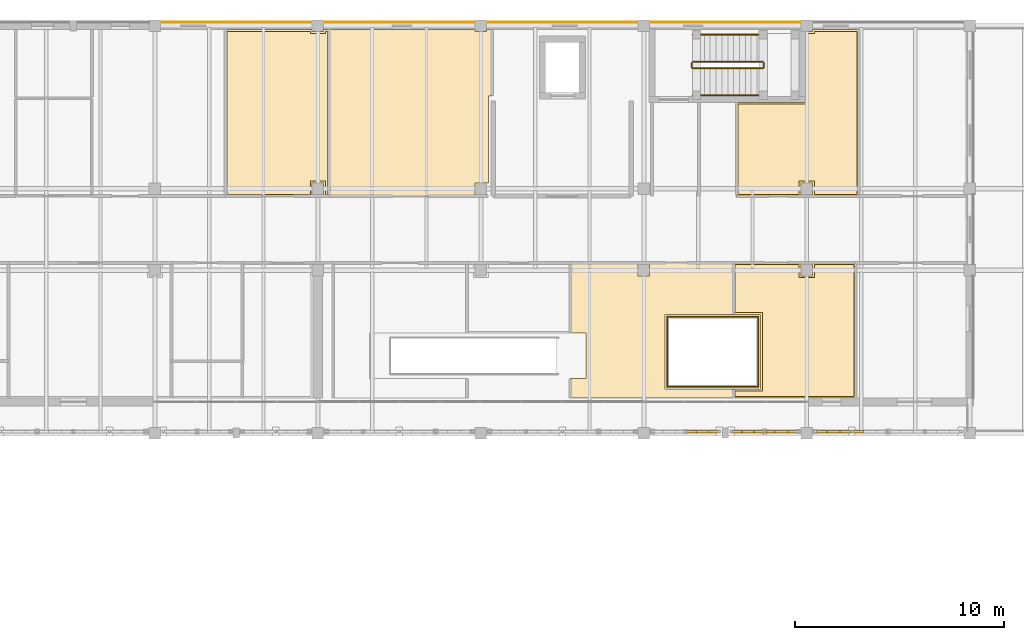
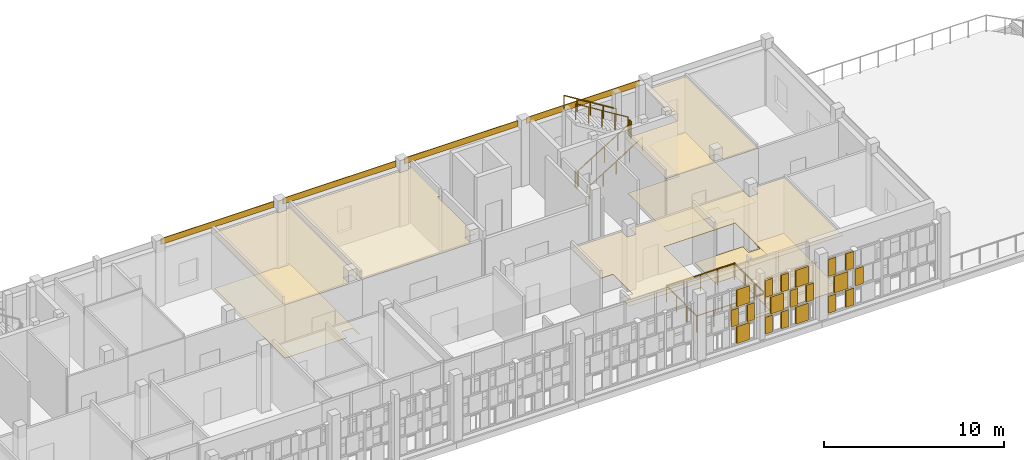
# One storey, part 118 of 119: 31 coverings, 10 railings.
"""IFC4 building model written with IfcOpenShell, lengths in metres."""

from ifc_helpers import new_model, si_unit, direction, frame, origin, origin_2d, place, context, subcontext, project, spatial, polyline, rectangle, circle, outline, extrude, material, layer, layer_set, type_object, element, save


model = new_model("IFC4")

# Units and contexts
model_context = context("Model", 3, precision=1e-05, world=origin(), true_north=direction((0.0, 1.0)))
body_context = subcontext(model_context, "Body", "Model", "MODEL_VIEW")
ifc_project = project(units=[si_unit("LENGTHUNIT", "METRE"), si_unit("AREAUNIT", "SQUARE_METRE"), si_unit("VOLUMEUNIT", "CUBIC_METRE"), si_unit("PLANEANGLEUNIT", "RADIAN"), si_unit("MASSUNIT", "GRAM", prefix="KILO")], contexts=[model_context])

# Site, building, storey
site_placement = place(None, origin())
site = spatial("IfcSite", under=ifc_project, at=site_placement, CompositionType="ELEMENT")
building_placement = place(site_placement, origin())
building = spatial("IfcBuilding", under=site, at=building_placement, Name="Celorna Specialist Clinic", CompositionType="ELEMENT")
storey_placement = place(building_placement, frame((0.0, 0.0, 9.60009765625)))
storey = spatial("IfcBuildingStorey", under=building, at=storey_placement, Name="L02", CompositionType="ELEMENT", Elevation=9.60009765625)

# Railings
ifc_material_1 = material(Name="Stainless steel and laminated glass balustrade", Category="steel")
railing_type_1 = type_object("IfcRailingType", Name="BL-01", PredefinedType="BALUSTRADE", material=ifc_material_1)
railing_1_placement = place(storey_placement, frame((118.1201171875, 98.719970703125, 0.0)))
element("IfcRailing", 1, at=railing_1_placement, inside=storey, type_object=railing_type_1, Name="Clinical lightwell balustrade L02 #2-1", PredefinedType="BALUSTRADE", context=body_context, shape_type="SweptSolid", body=[
    extrude(circle(Radius=0.02392578125, at=origin_2d()), frame((0.0, 0.0, 1.09619140625), z_axis=(1.0, 0.0, 0.0), x_axis=(0.0, 1.0, 0.0)), (0.0, 0.0, 1.0), 4.35986328125),
    extrude(circle(Radius=0.02099609375, at=origin_2d()), origin(), (0.0, 0.0, 1.0), 1.072021484375),
    extrude(circle(Radius=0.02099609375, at=origin_2d()), frame((1.08984375, 0.0, 0.0)), (0.0, 0.0, 1.0), 1.072021484375),
    extrude(circle(Radius=0.02099609375, at=origin_2d()), frame((2.179931640625, 0.0, 0.0)), (0.0, 0.0, 1.0), 1.072021484375),
    extrude(circle(Radius=0.02099609375, at=origin_2d()), frame((3.27001953125, 0.0, 0.0)), (0.0, 0.0, 1.0), 1.072021484375),
    extrude(circle(Radius=0.02099609375, at=origin_2d()), frame((4.35986328125, 0.0, 0.0)), (0.0, 0.0, 1.0), 1.072021484375),
])
railing_2_placement = place(storey_placement, frame((122.47998046875, 98.719970703125, 0.0)))
element("IfcRailing", 2, at=railing_2_placement, inside=storey, type_object=railing_type_1, Name="Clinical lightwell balustrade L02 #2-2", PredefinedType="BALUSTRADE", context=body_context, shape_type="SweptSolid", body=[
    extrude(circle(Radius=0.02392578125, at=origin_2d()), frame((0.0, 0.0, 1.09619140625), z_axis=(0.0, 1.0, 0.0), x_axis=(-1.0, 0.0, 0.0)), (0.0, 0.0, 1.0), 3.360107421875),
    extrude(circle(Radius=0.02099609375, at=origin_2d()), origin(), (0.0, 0.0, 1.0), 1.072021484375),
    extrude(circle(Radius=0.02099609375, at=origin_2d()), frame((0.0, 1.1201171875, 0.0)), (0.0, 0.0, 1.0), 1.072021484375),
    extrude(circle(Radius=0.02099609375, at=origin_2d()), frame((0.0, 2.239990234375, 0.0)), (0.0, 0.0, 1.0), 1.072021484375),
    extrude(circle(Radius=0.02099609375, at=origin_2d()), frame((0.0, 3.360107421875, 0.0)), (0.0, 0.0, 1.0), 1.072021484375),
])
railing_3_placement = place(storey_placement, frame((122.47998046875, 102.080078125, 0.0)))
element("IfcRailing", 3, at=railing_3_placement, inside=storey, type_object=railing_type_1, Name="Clinical lightwell balustrade L02 #2-3", PredefinedType="BALUSTRADE", context=body_context, shape_type="SweptSolid", body=[
    extrude(circle(Radius=0.02392578125, at=origin_2d()), frame((0.0, 0.0, 1.09619140625), z_axis=(-1.0, 0.0, 0.0), x_axis=(0.0, -1.0, 0.0)), (0.0, 0.0, 1.0), 4.35986328125),
    extrude(circle(Radius=0.02099609375, at=origin_2d()), origin(), (0.0, 0.0, 1.0), 1.072021484375),
    extrude(circle(Radius=0.02099609375, at=origin_2d()), frame((-1.08984375, 0.0, 0.0)), (0.0, 0.0, 1.0), 1.072021484375),
    extrude(circle(Radius=0.02099609375, at=origin_2d()), frame((-2.179931640625, 0.0, 0.0)), (0.0, 0.0, 1.0), 1.072021484375),
    extrude(circle(Radius=0.02099609375, at=origin_2d()), frame((-3.27001953125, 0.0, 0.0)), (0.0, 0.0, 1.0), 1.072021484375),
    extrude(circle(Radius=0.02099609375, at=origin_2d()), frame((-4.35986328125, 0.0, 0.0)), (0.0, 0.0, 1.0), 1.072021484375),
])
railing_4_placement = place(storey_placement, frame((118.1201171875, 102.080078125, 0.0)))
element("IfcRailing", 4, at=railing_4_placement, inside=storey, type_object=railing_type_1, Name="Clinical lightwell balustrade L02 #2-4", PredefinedType="BALUSTRADE", context=body_context, shape_type="SweptSolid", body=[
    extrude(circle(Radius=0.02392578125, at=origin_2d()), frame((0.0, 0.0, 1.09619140625), z_axis=(0.0, -1.0, 0.0), x_axis=(1.0, 0.0, 0.0)), (0.0, 0.0, 1.0), 3.360107421875),
    extrude(circle(Radius=0.02099609375, at=origin_2d()), origin(), (0.0, 0.0, 1.0), 1.072021484375),
    extrude(circle(Radius=0.02099609375, at=origin_2d()), frame((0.0, -1.1201171875, 0.0)), (0.0, 0.0, 1.0), 1.072021484375),
    extrude(circle(Radius=0.02099609375, at=origin_2d()), frame((0.0, -2.239990234375, 0.0)), (0.0, 0.0, 1.0), 1.072021484375),
    extrude(circle(Radius=0.02099609375, at=origin_2d()), frame((0.0, -3.360107421875, 0.0)), (0.0, 0.0, 1.0), 1.072021484375),
])

# Coverings
ifc_material_2 = material(Name="Hygienic acoustic mineral-fibre ceiling")
ifc_layer_1 = layer(ifc_material_2, 0.030029296875, Name="Hygienic acoustic mineral-fibre ceiling")
ifc_layer_set_1 = layer_set([ifc_layer_1], Name="Hygienic acoustic mineral-fibre ceiling")
covering_type_1 = type_object("IfcCoveringType", Name="CE-01", PredefinedType="CEILING", material=ifc_layer_set_1)
covering_1_placement = place(storey_placement, frame((0.0, 0.0, 3.68994140625)))
element("IfcCovering", 5, at=covering_1_placement, inside=storey, type_object=covering_type_1, Name="Acoustic ceiling L02-038", PredefinedType="CEILING", context=body_context, shape_type="SweptSolid", body=[
    extrude(outline(polyline([(113.47509765625, 99.114990234375), (114.22998046875, 99.114990234375), (114.22998046875, 101.284912109375), (113.47509765625, 101.284912109375), (113.47509765625, 104.6650390625), (116.72998046875, 104.6650390625), (116.72998046875, 104.580078125), (116.719970703125, 104.580078125), (116.719970703125, 104.02001953125), (117.280029296875, 104.02001953125), (117.280029296875, 104.580078125), (117.27001953125, 104.580078125), (117.27001953125, 104.6650390625), (121.304931640625, 104.6650390625), (121.304931640625, 102.18505859375), (118.014892578125, 102.18505859375), (118.014892578125, 98.614990234375), (121.304931640625, 98.614990234375), (121.304931640625, 98.175048828125), (113.47509765625, 98.175048828125), (113.47509765625, 99.114990234375)])), origin(), (0.0, 0.0, 1.0), 0.030029296875),
])
covering_2_placement = place(storey_placement, frame((0.0, 0.0, 3.68994140625)))
element("IfcCovering", 6, at=covering_2_placement, inside=storey, type_object=covering_type_1, Name="Acoustic ceiling L02-039", PredefinedType="CEILING", context=body_context, shape_type="SweptSolid", body=[
    extrude(outline(polyline([(124.530029296875, 104.580078125), (124.52001953125, 104.580078125), (124.52001953125, 104.02001953125), (125.080078125, 104.02001953125), (125.080078125, 104.580078125), (125.070068359375, 104.580078125), (125.070068359375, 104.6650390625), (127.155029296875, 104.6650390625), (127.155029296875, 98.175048828125), (121.27490234375, 98.175048828125), (121.27490234375, 98.614990234375), (122.5849609375, 98.614990234375), (122.5849609375, 102.18505859375), (121.27490234375, 102.18505859375), (121.27490234375, 104.6650390625), (124.530029296875, 104.6650390625), (124.530029296875, 104.580078125)])), origin(), (0.0, 0.0, 1.0), 0.030029296875),
])
covering_3_placement = place(storey_placement, frame((0.0, 0.0, 3.68994140625)))
element("IfcCovering", 7, at=covering_3_placement, inside=storey, type_object=covering_type_1, Name="Acoustic ceiling L02-047", PredefinedType="CEILING", context=body_context, shape_type="SweptSolid", body=[
    extrude(outline(polyline([(101.1201171875, 115.824951171875), (101.1201171875, 115.719970703125), (101.679931640625, 115.719970703125), (101.679931640625, 115.824951171875), (101.955078125, 115.824951171875), (101.955078125, 107.8349609375), (101.669921875, 107.8349609375), (101.669921875, 107.919921875), (101.679931640625, 107.919921875), (101.679931640625, 108.47998046875), (101.1201171875, 108.47998046875), (101.1201171875, 107.919921875), (101.1298828125, 107.919921875), (101.1298828125, 107.8349609375), (96.97509765625, 107.8349609375), (96.97509765625, 115.824951171875), (101.1201171875, 115.824951171875)])), origin(), (0.0, 0.0, 1.0), 0.030029296875),
])
covering_4_placement = place(storey_placement, frame((0.0, 0.0, 3.68994140625)))
element("IfcCovering", 8, at=covering_4_placement, inside=storey, type_object=covering_type_1, Name="Acoustic ceiling L02-048", PredefinedType="CEILING", context=body_context, shape_type="SweptSolid", body=[
    extrude(outline(polyline([(108.919921875, 115.824951171875), (108.919921875, 115.719970703125), (109.47998046875, 115.719970703125), (109.47998046875, 115.824951171875), (109.7548828125, 115.824951171875), (109.7548828125, 112.635009765625), (109.56494140625, 112.635009765625), (109.56494140625, 108.469970703125), (109.47998046875, 108.469970703125), (109.47998046875, 108.47998046875), (108.919921875, 108.47998046875), (108.919921875, 107.919921875), (108.929931640625, 107.919921875), (108.929931640625, 107.8349609375), (101.925048828125, 107.8349609375), (101.925048828125, 115.824951171875), (108.919921875, 115.824951171875)])), origin(), (0.0, 0.0, 1.0), 0.030029296875),
])
covering_5_placement = place(storey_placement, frame((0.0, 0.0, 3.68994140625)))
element("IfcCovering", 9, at=covering_5_placement, inside=storey, type_object=covering_type_1, Name="Acoustic ceiling L02-049", PredefinedType="CEILING", context=body_context, shape_type="SweptSolid", body=[
    extrude(outline(polyline([(121.425048828125, 107.8349609375), (121.425048828125, 112.3349609375), (124.72509765625, 112.3349609375), (124.72509765625, 115.719970703125), (125.080078125, 115.719970703125), (125.080078125, 115.824951171875), (127.304931640625, 115.824951171875), (127.304931640625, 107.8349609375), (125.070068359375, 107.8349609375), (125.070068359375, 107.919921875), (125.080078125, 107.919921875), (125.080078125, 108.47998046875), (124.52001953125, 108.47998046875), (124.52001953125, 107.919921875), (124.530029296875, 107.919921875), (124.530029296875, 107.8349609375), (121.425048828125, 107.8349609375)])), origin(), (0.0, 0.0, 1.0), 0.030029296875),
])
ifc_material_3 = material(Name="Pero Pinheiro Lioz limestone rainscreen cladding", Category="masonry")
ifc_layer_2 = layer(ifc_material_3, 0.044921875, Name="Pero Pinheiro Lioz limestone rainscreen cladding")
ifc_layer_set_2 = layer_set([ifc_layer_2], Name="Pero Pinheiro Lioz limestone rainscreen cladding")
covering_type_2 = type_object("IfcCoveringType", Name="CL-01", PredefinedType="CLADDING", material=ifc_layer_set_2)
for number, where, z_axis, x_axis, name in (
    (10, (97.5, 116.16748046875, 3.83984375), (0.0, 0.0, 1.0), (1.0, 0.0, 0.0), "Lioz spandrel cladding #243"),
    (11, (105.300048828125, 116.16748046875, 3.83984375), (0.0, 0.0, 1.0), (1.0, 0.0, 0.0), "Lioz spandrel cladding #244"),
    (12, (113.10009765625, 116.16748046875, 3.83984375), (0.0, 0.0, 1.0), (1.0, 0.0, 0.0), "Lioz spandrel cladding #245"),
    (13, (120.89990234375, 116.16748046875, 3.83984375), (0.0, 0.0, 1.0), (1.0, 0.0, 0.0), "Lioz spandrel cladding #246"),
):
    element("IfcCovering", number, at=place(storey_placement, frame(where, z_axis=z_axis, x_axis=x_axis)), inside=storey, type_object=covering_type_2, Name=name, PredefinedType="CLADDING", context=body_context, shape_type="SweptSolid", body=[
        extrude(rectangle(XDim=7.25, YDim=0.044921875, at=origin_2d()), origin(), (0.0, 0.0, 1.0), 0.39990234375),
    ])
ifc_material_4 = material(Name="Perforated terracotta brick weave cladding", Category="masonry")
ifc_layer_3 = layer(ifc_material_4, 0.114990234375, Name="Perforated terracotta brick weave cladding")
ifc_layer_set_3 = layer_set([ifc_layer_3], Name="Perforated terracotta brick weave cladding")
covering_type_3 = type_object("IfcCoveringType", Name="CL-02", PredefinedType="CLADDING", material=ifc_layer_set_3)
covering_6_placement = place(storey_placement, frame((119.811279296875, 96.570068359375, 0.10009765625), z_axis=(0.0, 0.0, 1.0), x_axis=(1.0, 0.0, 0.0)))
element("IfcCovering", 14, at=covering_6_placement, inside=storey, type_object=covering_type_3, Name="Woven perforated terracotta brick course #1027", PredefinedType="CLADDING", context=body_context, shape_type="SweptSolid", body=[
    extrude(rectangle(XDim=0.7978515625, YDim=0.114990234375, at=origin_2d()), origin(), (0.0, 0.0, 1.0), 1.146728515625),
])
for number, where, z_axis, x_axis, name in (
    (15, (119.2978515625, 96.570068359375, 1.3466796875), (0.0, 0.0, 1.0), (1.0, 0.0, 0.0), "Woven perforated terracotta brick course #1028"),
    (16, (120.32470703125, 96.570068359375, 1.3466796875), (0.0, 0.0, 1.0), (1.0, 0.0, 0.0), "Woven perforated terracotta brick course #1029"),
):
    element("IfcCovering", number, at=place(storey_placement, frame(where, z_axis=z_axis, x_axis=x_axis)), inside=storey, type_object=covering_type_3, Name=name, PredefinedType="CLADDING", context=body_context, shape_type="SweptSolid", body=[
        extrude(rectangle(XDim=0.45068359375, YDim=0.114990234375, at=origin_2d()), origin(), (0.0, 0.0, 1.0), 1.146484375),
    ])
covering_7_placement = place(storey_placement, frame((119.811279296875, 96.570068359375, 2.59326171875), z_axis=(0.0, 0.0, 1.0), x_axis=(1.0, 0.0, 0.0)))
element("IfcCovering", 17, at=covering_7_placement, inside=storey, type_object=covering_type_3, Name="Woven perforated terracotta brick course #1030", PredefinedType="CLADDING", context=body_context, shape_type="SweptSolid", body=[
    extrude(rectangle(XDim=0.7978515625, YDim=0.114990234375, at=origin_2d()), origin(), (0.0, 0.0, 1.0), 1.146728515625),
])
for number, where, z_axis, x_axis, name in (
    (18, (121.475341796875, 96.570068359375, 0.10009765625), (0.0, 0.0, 1.0), (1.0, 0.0, 0.0), "Woven perforated terracotta brick course #1031"),
    (19, (122.502197265625, 96.570068359375, 0.10009765625), (0.0, 0.0, 1.0), (1.0, 0.0, 0.0), "Woven perforated terracotta brick course #1032"),
):
    element("IfcCovering", number, at=place(storey_placement, frame(where, z_axis=z_axis, x_axis=x_axis)), inside=storey, type_object=covering_type_3, Name=name, PredefinedType="CLADDING", context=body_context, shape_type="SweptSolid", body=[
        extrude(rectangle(XDim=0.45068359375, YDim=0.114990234375, at=origin_2d()), origin(), (0.0, 0.0, 1.0), 1.146728515625),
    ])
covering_8_placement = place(storey_placement, frame((121.98876953125, 96.570068359375, 1.3466796875), z_axis=(0.0, 0.0, 1.0), x_axis=(1.0, 0.0, 0.0)))
element("IfcCovering", 20, at=covering_8_placement, inside=storey, type_object=covering_type_3, Name="Woven perforated terracotta brick course #1033", PredefinedType="CLADDING", context=body_context, shape_type="SweptSolid", body=[
    extrude(rectangle(XDim=0.7978515625, YDim=0.114990234375, at=origin_2d()), origin(), (0.0, 0.0, 1.0), 1.146484375),
])
for number, where, z_axis, x_axis, name in (
    (21, (121.475341796875, 96.570068359375, 2.59326171875), (0.0, 0.0, 1.0), (1.0, 0.0, 0.0), "Woven perforated terracotta brick course #1034"),
    (22, (122.502197265625, 96.570068359375, 2.59326171875), (0.0, 0.0, 1.0), (1.0, 0.0, 0.0), "Woven perforated terracotta brick course #1035"),
):
    element("IfcCovering", number, at=place(storey_placement, frame(where, z_axis=z_axis, x_axis=x_axis)), inside=storey, type_object=covering_type_3, Name=name, PredefinedType="CLADDING", context=body_context, shape_type="SweptSolid", body=[
        extrude(rectangle(XDim=0.45068359375, YDim=0.114990234375, at=origin_2d()), origin(), (0.0, 0.0, 1.0), 1.146728515625),
    ])
covering_9_placement = place(storey_placement, frame((123.586181640625, 96.570068359375, 0.10009765625), z_axis=(0.0, 0.0, 1.0), x_axis=(1.0, 0.0, 0.0)))
element("IfcCovering", 23, at=covering_9_placement, inside=storey, type_object=covering_type_3, Name="Woven perforated terracotta brick course #1036", PredefinedType="CLADDING", context=body_context, shape_type="SweptSolid", body=[
    extrude(rectangle(XDim=0.7978515625, YDim=0.114990234375, at=origin_2d()), origin(), (0.0, 0.0, 1.0), 1.146728515625),
])
for number, where, z_axis, x_axis, name in (
    (24, (123.07275390625, 96.570068359375, 1.3466796875), (0.0, 0.0, 1.0), (1.0, 0.0, 0.0), "Woven perforated terracotta brick course #1037"),
    (25, (124.099609375, 96.570068359375, 1.3466796875), (0.0, 0.0, 1.0), (1.0, 0.0, 0.0), "Woven perforated terracotta brick course #1038"),
):
    element("IfcCovering", number, at=place(storey_placement, frame(where, z_axis=z_axis, x_axis=x_axis)), inside=storey, type_object=covering_type_3, Name=name, PredefinedType="CLADDING", context=body_context, shape_type="SweptSolid", body=[
        extrude(rectangle(XDim=0.45068359375, YDim=0.114990234375, at=origin_2d()), origin(), (0.0, 0.0, 1.0), 1.146484375),
    ])
covering_10_placement = place(storey_placement, frame((123.586181640625, 96.570068359375, 2.59326171875), z_axis=(0.0, 0.0, 1.0), x_axis=(1.0, 0.0, 0.0)))
element("IfcCovering", 26, at=covering_10_placement, inside=storey, type_object=covering_type_3, Name="Woven perforated terracotta brick course #1039", PredefinedType="CLADDING", context=body_context, shape_type="SweptSolid", body=[
    extrude(rectangle(XDim=0.7978515625, YDim=0.114990234375, at=origin_2d()), origin(), (0.0, 0.0, 1.0), 1.146728515625),
])
for number, where, z_axis, x_axis, name in (
    (27, (125.5224609375, 96.570068359375, 0.10009765625), (0.0, 0.0, 1.0), (1.0, 0.0, 0.0), "Woven perforated terracotta brick course #1040"),
    (28, (126.650146484375, 96.570068359375, 0.10009765625), (0.0, 0.0, 1.0), (1.0, 0.0, 0.0), "Woven perforated terracotta brick course #1041"),
):
    element("IfcCovering", number, at=place(storey_placement, frame(where, z_axis=z_axis, x_axis=x_axis)), inside=storey, type_object=covering_type_3, Name=name, PredefinedType="CLADDING", context=body_context, shape_type="SweptSolid", body=[
        extrude(rectangle(XDim=0.494873046875, YDim=0.114990234375, at=origin_2d()), origin(), (0.0, 0.0, 1.0), 1.146728515625),
    ])
covering_11_placement = place(storey_placement, frame((126.086181640625, 96.570068359375, 1.3466796875), z_axis=(0.0, 0.0, 1.0), x_axis=(1.0, 0.0, 0.0)))
element("IfcCovering", 29, at=covering_11_placement, inside=storey, type_object=covering_type_3, Name="Woven perforated terracotta brick course #1042", PredefinedType="CLADDING", context=body_context, shape_type="SweptSolid", body=[
    extrude(rectangle(XDim=0.876220703125, YDim=0.114990234375, at=origin_2d()), origin(), (0.0, 0.0, 1.0), 1.146484375),
])
for number, where, z_axis, x_axis, name in (
    (30, (125.5224609375, 96.570068359375, 2.59326171875), (0.0, 0.0, 1.0), (1.0, 0.0, 0.0), "Woven perforated terracotta brick course #1043"),
    (31, (126.650146484375, 96.570068359375, 2.59326171875), (0.0, 0.0, 1.0), (1.0, 0.0, 0.0), "Woven perforated terracotta brick course #1044"),
):
    element("IfcCovering", number, at=place(storey_placement, frame(where, z_axis=z_axis, x_axis=x_axis)), inside=storey, type_object=covering_type_3, Name=name, PredefinedType="CLADDING", context=body_context, shape_type="SweptSolid", body=[
        extrude(rectangle(XDim=0.494873046875, YDim=0.114990234375, at=origin_2d()), origin(), (0.0, 0.0, 1.0), 1.146728515625),
    ])
covering_12_placement = place(storey_placement, frame((127.264892578125, 96.570068359375, 1.3466796875), z_axis=(0.0, 0.0, 1.0), x_axis=(1.0, 0.0, 0.0)))
element("IfcCovering", 32, at=covering_12_placement, inside=storey, type_object=covering_type_3, Name="Woven perforated terracotta brick course #1046", PredefinedType="CLADDING", context=body_context, shape_type="SweptSolid", body=[
    extrude(rectangle(XDim=0.494873046875, YDim=0.114990234375, at=origin_2d()), origin(), (0.0, 0.0, 1.0), 1.146484375),
])
ifc_material_5 = material(Name="Seamless antimicrobial clinical vinyl and Lioz terrazzo flooring")
ifc_layer_4 = layer(ifc_material_5, 0.02001953125, Name="Seamless antimicrobial clinical vinyl and Lioz terrazzo flooring")
ifc_layer_set_4 = layer_set([ifc_layer_4], Name="Seamless antimicrobial clinical vinyl and Lioz terrazzo flooring")
covering_type_4 = type_object("IfcCoveringType", Name="FL-01", PredefinedType="FLOORING", material=ifc_layer_set_4)
covering_13_placement = place(storey_placement, origin())
element("IfcCovering", 33, at=covering_13_placement, inside=storey, type_object=covering_type_4, Name="Antimicrobial clinical flooring L02-039", PredefinedType="FLOORING", context=body_context, shape_type="SweptSolid", body=[
    extrude(outline(polyline([(124.43994140625, 104.574951171875), (124.43994140625, 103.93994140625), (125.159912109375, 103.93994140625), (125.159912109375, 104.574951171875), (127.06494140625, 104.574951171875), (127.06494140625, 98.264892578125), (121.364990234375, 98.264892578125), (121.364990234375, 98.52490234375), (122.675048828125, 98.52490234375), (122.675048828125, 102.27490234375), (121.364990234375, 102.27490234375), (121.364990234375, 104.574951171875), (124.43994140625, 104.574951171875)])), origin(), (0.0, 0.0, 1.0), 0.02001953125),
])
covering_14_placement = place(storey_placement, origin())
element("IfcCovering", 34, at=covering_14_placement, inside=storey, type_object=covering_type_4, Name="Antimicrobial clinical flooring L02-047", PredefinedType="FLOORING", context=body_context, shape_type="SweptSolid", body=[
    extrude(outline(polyline([(97.06494140625, 115.735107421875), (101.0400390625, 115.735107421875), (101.0400390625, 115.639892578125), (101.760009765625, 115.639892578125), (101.760009765625, 115.735107421875), (101.864990234375, 115.735107421875), (101.864990234375, 107.925048828125), (101.760009765625, 107.925048828125), (101.760009765625, 108.56005859375), (101.0400390625, 108.56005859375), (101.0400390625, 107.925048828125), (97.06494140625, 107.925048828125), (97.06494140625, 115.735107421875)])), origin(), (0.0, 0.0, 1.0), 0.02001953125),
])
covering_15_placement = place(storey_placement, origin())
element("IfcCovering", 35, at=covering_15_placement, inside=storey, type_object=covering_type_4, Name="Antimicrobial clinical flooring L02-049", PredefinedType="FLOORING", context=body_context, shape_type="SweptSolid", body=[
    extrude(outline(polyline([(124.43994140625, 107.925048828125), (121.514892578125, 107.925048828125), (121.514892578125, 112.2451171875), (124.81494140625, 112.2451171875), (124.81494140625, 115.639892578125), (125.159912109375, 115.639892578125), (125.159912109375, 115.735107421875), (127.215087890625, 115.735107421875), (127.215087890625, 107.925048828125), (125.159912109375, 107.925048828125), (125.159912109375, 108.56005859375), (124.43994140625, 108.56005859375), (124.43994140625, 107.925048828125)])), origin(), (0.0, 0.0, 1.0), 0.02001953125),
])

# Railings
ifc_material_6 = material(Name="Powder-coated steel S355", Category="steel")
railing_type_2 = type_object("IfcRailingType", Name="GR-01", PredefinedType="GUARDRAIL", material=ifc_material_6)
railing_5_placement = place(storey_placement, frame((119.340087890625, 113.969970703125, 0.173095703125)))
element("IfcRailing", 36, at=railing_5_placement, inside=storey, type_object=railing_type_2, Name="L02 ST-03 stair guard 1", PredefinedType="GUARDRAIL", context=body_context, shape_type="SweptSolid", body=[
    extrude(circle(Radius=0.02392578125, at=origin_2d()), frame((0.0, 0.0, 1.09619140625), z_axis=(0.850606129759, 0.0, 0.525803396734), x_axis=(0.0, 1.0, 0.0)), (0.0, 0.0, 1.0), 3.949951171875),
    extrude(circle(Radius=0.02099609375, at=origin_2d()), origin(), (0.0, 0.0, 1.0), 1.072021484375),
    extrude(circle(Radius=0.02099609375, at=origin_2d()), frame((0.83984375, 0.0, 0.519287109375)), (0.0, 0.0, 1.0), 1.072021484375),
    extrude(circle(Radius=0.02099609375, at=origin_2d()), frame((1.679931640625, 0.0, 1.03857421875)), (0.0, 0.0, 1.0), 1.072021484375),
    extrude(circle(Radius=0.02099609375, at=origin_2d()), frame((2.52001953125, 0.0, 1.5576171875)), (0.0, 0.0, 1.0), 1.072021484375),
    extrude(circle(Radius=0.02099609375, at=origin_2d()), frame((3.35986328125, 0.0, 2.076904296875)), (0.0, 0.0, 1.0), 1.072021484375),
])
railing_6_placement = place(storey_placement, frame((122.75, 114.02001953125, 2.25)))
element("IfcRailing", 37, at=railing_6_placement, inside=storey, type_object=railing_type_2, Name="L02 ST-03 stair guard 2", PredefinedType="GUARDRAIL", context=body_context, shape_type="SweptSolid", body=[
    extrude(circle(Radius=0.02392578125, at=origin_2d()), frame((0.0, 0.0, 1.09619140625), z_axis=(0.0, 1.0, 0.0), x_axis=(-1.0, 0.0, 0.0)), (0.0, 0.0, 1.0), 0.199951171875),
    extrude(circle(Radius=0.02099609375, at=origin_2d()), origin(), (0.0, 0.0, 1.0), 1.072021484375),
    extrude(circle(Radius=0.02099609375, at=origin_2d()), frame((0.0, 0.199951171875, 0.0)), (0.0, 0.0, 1.0), 1.072021484375),
])
railing_7_placement = place(storey_placement, frame((122.699951171875, 114.27001953125, 2.423095703125)))
element("IfcRailing", 38, at=railing_7_placement, inside=storey, type_object=railing_type_2, Name="L02 ST-03 stair guard 3", PredefinedType="GUARDRAIL", context=body_context, shape_type="SweptSolid", body=[
    extrude(circle(Radius=0.02392578125, at=origin_2d()), frame((0.0, 0.0, 1.09619140625), z_axis=(-0.850606129759, 0.0, 0.525803396734), x_axis=(0.0, -1.0, 0.0)), (0.0, 0.0, 1.0), 3.949951171875),
    extrude(circle(Radius=0.02099609375, at=origin_2d()), origin(), (0.0, 0.0, 1.0), 1.072021484375),
    extrude(circle(Radius=0.02099609375, at=origin_2d()), frame((-0.83984375, 0.0, 0.519287109375)), (0.0, 0.0, 1.0), 1.072021484375),
    extrude(circle(Radius=0.02099609375, at=origin_2d()), frame((-1.679931640625, 0.0, 1.03857421875)), (0.0, 0.0, 1.0), 1.072021484375),
    extrude(circle(Radius=0.02099609375, at=origin_2d()), frame((-2.52001953125, 0.0, 1.5576171875)), (0.0, 0.0, 1.0), 1.072021484375),
    extrude(circle(Radius=0.02099609375, at=origin_2d()), frame((-3.35986328125, 0.0, 2.076904296875)), (0.0, 0.0, 1.0), 1.072021484375),
])
railing_8_placement = place(storey_placement, frame((119.2900390625, 114.02001953125, 0.0)))
element("IfcRailing", 39, at=railing_8_placement, inside=storey, type_object=railing_type_2, Name="L02 ST-03 stair guard 4", PredefinedType="GUARDRAIL", context=body_context, shape_type="SweptSolid", body=[
    extrude(circle(Radius=0.02392578125, at=origin_2d()), frame((0.0, 0.0, 1.09619140625), z_axis=(0.0, 1.0, 0.0), x_axis=(-1.0, 0.0, 0.0)), (0.0, 0.0, 1.0), 0.199951171875),
    extrude(circle(Radius=0.02099609375, at=origin_2d()), origin(), (0.0, 0.0, 1.0), 1.072021484375),
    extrude(circle(Radius=0.02099609375, at=origin_2d()), frame((0.0, 0.199951171875, 0.0)), (0.0, 0.0, 1.0), 1.072021484375),
])
ifc_material_7 = material(Name="Brushed stainless steel handrail", Category="steel")
railing_type_3 = type_object("IfcRailingType", Name="HR-01", PredefinedType="HANDRAIL", material=ifc_material_7)
railing_9_placement = place(storey_placement, frame((119.340087890625, 112.669921875, 0.173095703125)))
element("IfcRailing", 40, at=railing_9_placement, inside=storey, type_object=railing_type_3, Name="L02 ST-03 stair handrail 1", PredefinedType="HANDRAIL", context=body_context, shape_type="SweptSolid", body=[
    extrude(circle(Radius=0.02392578125, at=origin_2d()), frame((0.0, 0.0, 0.8759765625), z_axis=(0.850606129759, 0.0, 0.525803396734), x_axis=(0.0, 1.0, 0.0)), (0.0, 0.0, 1.0), 3.949951171875),
    extrude(circle(Radius=0.02099609375, at=origin_2d()), origin(), (0.0, 0.0, 1.0), 0.851806640625),
    extrude(circle(Radius=0.02099609375, at=origin_2d()), frame((0.83984375, 0.0, 0.519287109375)), (0.0, 0.0, 1.0), 0.851806640625),
    extrude(circle(Radius=0.02099609375, at=origin_2d()), frame((1.679931640625, 0.0, 1.03857421875)), (0.0, 0.0, 1.0), 0.851806640625),
    extrude(circle(Radius=0.02099609375, at=origin_2d()), frame((2.52001953125, 0.0, 1.5576171875)), (0.0, 0.0, 1.0), 0.851806640625),
    extrude(circle(Radius=0.02099609375, at=origin_2d()), frame((3.35986328125, 0.0, 2.076904296875)), (0.0, 0.0, 1.0), 0.851806640625),
])
railing_10_placement = place(storey_placement, frame((122.699951171875, 115.570068359375, 2.423095703125)))
element("IfcRailing", 41, at=railing_10_placement, inside=storey, type_object=railing_type_3, Name="L02 ST-03 stair handrail 2", PredefinedType="HANDRAIL", context=body_context, shape_type="SweptSolid", body=[
    extrude(circle(Radius=0.02392578125, at=origin_2d()), frame((0.0, 0.0, 0.8759765625), z_axis=(-0.850606129759, 0.0, 0.525803396734), x_axis=(0.0, -1.0, 0.0)), (0.0, 0.0, 1.0), 3.949951171875),
    extrude(circle(Radius=0.02099609375, at=origin_2d()), origin(), (0.0, 0.0, 1.0), 0.851806640625),
    extrude(circle(Radius=0.02099609375, at=origin_2d()), frame((-0.83984375, 0.0, 0.519287109375)), (0.0, 0.0, 1.0), 0.851806640625),
    extrude(circle(Radius=0.02099609375, at=origin_2d()), frame((-1.679931640625, 0.0, 1.03857421875)), (0.0, 0.0, 1.0), 0.851806640625),
    extrude(circle(Radius=0.02099609375, at=origin_2d()), frame((-2.52001953125, 0.0, 1.5576171875)), (0.0, 0.0, 1.0), 0.851806640625),
    extrude(circle(Radius=0.02099609375, at=origin_2d()), frame((-3.35986328125, 0.0, 2.076904296875)), (0.0, 0.0, 1.0), 0.851806640625),
])

save(model, "model.ifc")
